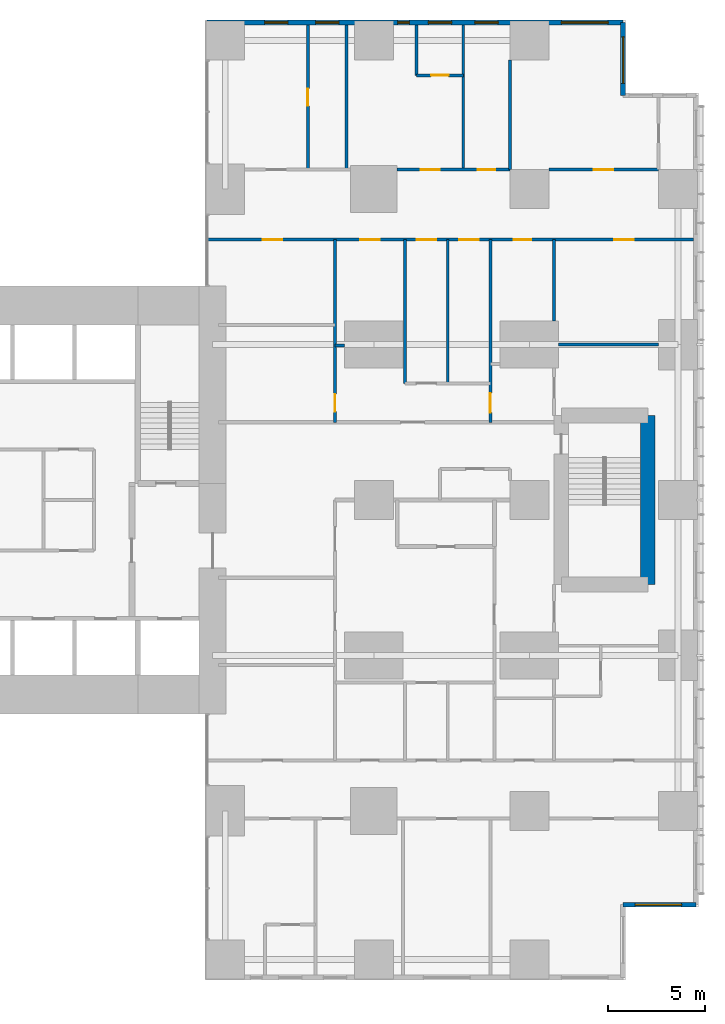
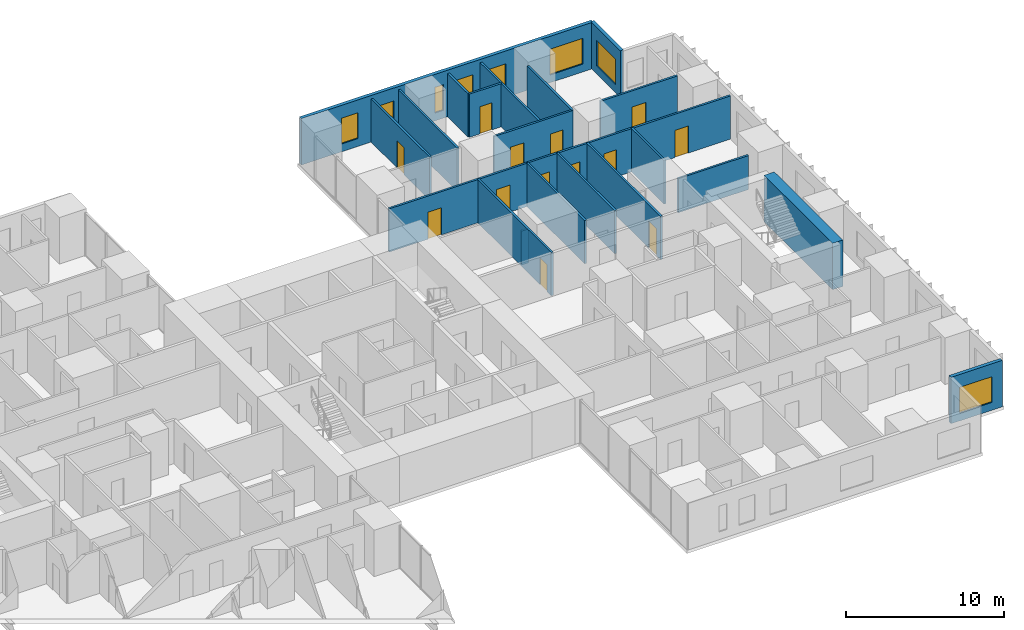
# One storey, part 18 of 20: 20 walls, 13 doors, 8 windows, 21 openings.
"""IFC4 building model written with IfcOpenShell, lengths in metres."""

import ifcopenshell
import ifcopenshell.guid

model = None  # the IFC model being written
_history = None  # IfcOwnerHistory: only IFC2X3 demands one
_inside = {}  # id of a spatial element -> (the spatial element, [elements in it])
_under = {}  # id of a project, library or spatial element -> (it, [spatial elements below it])
_declared = {}  # id of a project -> (the project, [libraries it declares])
_typed = {}  # id of a type object -> (the type object, [elements of that type])
_made_of = {}  # id of a material, layer set ... -> (it, [elements and type objects made of it])


def new_model(schema):
    """Start an empty IFC model of exactly this schema.

    Asked for "IFC4X3", IfcOpenShell would pick the latest addendum, in which some entities
    have other attributes; the version numbers below select the first issue.
    IFC2X3 requires an IfcOwnerHistory on every rooted entity: one is made here for all.
    """
    global model, _history
    if schema == "IFC4X3":
        model = ifcopenshell.file(schema_version=(4, 3, 0, 0))
    else:
        model = ifcopenshell.file(schema=schema)
    _inside.clear()
    _under.clear()
    _declared.clear()
    _typed.clear()
    _made_of.clear()
    _history = None
    if model.schema == "IFC2X3":
        org = make("IfcOrganization", Name="unknown")
        user = make(
            "IfcPersonAndOrganization",
            ThePerson=make("IfcPerson", FamilyName="unknown"),
            TheOrganization=org,
        )
        app = make(
            "IfcApplication",
            ApplicationDeveloper=org,
            Version="unknown",
            ApplicationFullName="unknown",
            ApplicationIdentifier="unknown",
        )
        _history = make(
            "IfcOwnerHistory",
            OwningUser=user,
            OwningApplication=app,
            ChangeAction="ADDED",
            CreationDate=0,
        )
    return model


def make(cls, **values):
    """One entity of the class cls with the attributes given. An attribute that is None is left unset."""
    return model.create_entity(
        cls, **{name: value for name, value in values.items() if value is not None}
    )


def rooted(cls, **values):
    """An entity with a GlobalId (a new one), such as an element, a storey or a relation."""
    return make(cls, GlobalId=ifcopenshell.guid.new(), OwnerHistory=_history, **values)


def si_unit(unit_type, name, prefix=None):
    """IfcSIUnit, for example si_unit("LENGTHUNIT", "METRE", prefix="MILLI")."""
    return make("IfcSIUnit", UnitType=unit_type, Prefix=prefix, Name=name)


def assignment(units):
    """IfcUnitAssignment: the units of a project."""
    return None if units is None else make("IfcUnitAssignment", Units=units)


def point(xyz):
    """IfcCartesianPoint."""
    return None if xyz is None else make("IfcCartesianPoint", Coordinates=xyz)


def direction(xyz):
    """IfcDirection."""
    return None if xyz is None else make("IfcDirection", DirectionRatios=xyz)


def frame(location, z_axis=None, x_axis=None):
    """IfcAxis2Placement3D, a coordinate frame: its origin and axes. An axis left out is left unset."""
    return make(
        "IfcAxis2Placement3D",
        Location=point(location),
        Axis=direction(z_axis),
        RefDirection=direction(x_axis),
    )


def frame_2d(location, x_axis=None):
    """IfcAxis2Placement2D, a coordinate frame in the plane: its origin and x axis."""
    return make(
        "IfcAxis2Placement2D", Location=point(location), RefDirection=direction(x_axis)
    )


def origin():
    """The frame at (0, 0, 0) with its axes left unset."""
    return frame((0.0, 0.0, 0.0))


def place(relative_to, where):
    """IfcLocalPlacement: puts the frame where relative to a parent placement (None: the world)."""
    return make(
        "IfcLocalPlacement", PlacementRelTo=relative_to, RelativePlacement=where
    )


def context(
    kind, dimensions, precision=None, world=None, true_north=None, identifier=None
):
    """IfcGeometricRepresentationContext, for example the 3D "Model" context."""
    return make(
        "IfcGeometricRepresentationContext",
        ContextIdentifier=identifier,
        ContextType=kind,
        CoordinateSpaceDimension=dimensions,
        Precision=precision,
        WorldCoordinateSystem=world,
        TrueNorth=true_north,
    )


def subcontext(parent, identifier, kind, view, scale=None):
    """IfcGeometricRepresentationSubContext, for example "Body" below "Model"."""
    return make(
        "IfcGeometricRepresentationSubContext",
        ContextIdentifier=identifier,
        ContextType=kind,
        ParentContext=parent,
        TargetScale=scale,
        TargetView=view,
    )


def project(units=None, contexts=None):
    """IfcProject with its units and contexts."""
    return rooted(
        "IfcProject",
        Name="project",
        RepresentationContexts=contexts,
        UnitsInContext=assignment(units),
    )


def spatial(cls, under=None, at=None, **own):
    """A site, building, storey or space (cls), placed at a placement, below another one or the project."""
    s = rooted(cls, ObjectPlacement=at, **own)
    if under is not None:
        _under.setdefault(under.id(), (under, []))[1].append(s)
    return s


def profile(cls, at=None, kind="AREA", **sizes):
    """A parametric profile (cls). Its sizes go by their IFC names, for example OverallWidth=200.0."""
    return make(cls, ProfileType=kind, Position=at, **sizes)


def rectangle(**sizes):
    """IfcRectangleProfileDef."""
    return profile("IfcRectangleProfileDef", **sizes)


def extrude(swept, where, along, depth):
    """IfcExtrudedAreaSolid: the profile swept, set in the frame where, extruded along a direction by depth."""
    return make(
        "IfcExtrudedAreaSolid",
        SweptArea=swept,
        Position=where,
        ExtrudedDirection=direction(along),
        Depth=depth,
    )


def shape(context_of_items, identifier, shape_type, items):
    """IfcShapeRepresentation: the items that make up one representation, for example the "Body"."""
    return make(
        "IfcShapeRepresentation",
        ContextOfItems=context_of_items,
        RepresentationIdentifier=identifier,
        RepresentationType=shape_type,
        Items=items,
    )


def material(Name=None, Category=None):
    """IfcMaterial."""
    return make("IfcMaterial", Name=Name, Category=Category)


def layer(
    of_material, thickness, ventilated=None, Name=None, Category=None, Priority=None
):
    """IfcMaterialLayer: one layer of a wall or slab, of a material (None: an air gap)."""
    return make(
        "IfcMaterialLayer",
        Material=of_material,
        LayerThickness=thickness,
        IsVentilated=ventilated,
        Name=Name,
        Category=Category,
        Priority=Priority,
    )


def layer_set(layers, Name=None):
    """IfcMaterialLayerSet."""
    return make("IfcMaterialLayerSet", MaterialLayers=layers, LayerSetName=Name)


def made_of(thing, what):
    """Note that an element or type object is made of a material, layer set ...; save() writes the relation."""
    if what is not None:
        _made_of.setdefault(what.id(), (what, []))[1].append(thing)
    return thing


def type_object(cls, material=None, **own):
    """A type object (cls), such as IfcWallType, which elements share."""
    return made_of(rooted(cls, **own), material)


def element(
    cls,
    number,
    at=None,
    inside=None,
    cuts=None,
    type_object=None,
    material=None,
    context=None,
    identifier="Body",
    shape_type=None,
    held_by="IfcProductDefinitionShape",
    body=None,
    shapes=None,
    **own,
):
    """One element of the class cls, such as IfcWall. Its Tag is "e" and its number.

    at: its placement. inside: the storey or other place that contains it. cuts: it is an
    opening in that element (IfcRelVoidsElement). A single representation is given by context,
    identifier, shape_type and body (its items); several are given by shapes. held_by: the class
    of the entity that holds the representations. save() writes the other relations.
    """
    e = rooted(cls, Tag="e%d" % number, ObjectPlacement=at, **own)
    if body is not None:
        shapes = [shape(context, identifier, shape_type, body)]
    if shapes is not None:
        e.Representation = make(held_by, Representations=shapes)
    if inside is not None:
        _inside.setdefault(inside.id(), (inside, []))[1].append(e)
    if cuts is not None:
        rooted(
            "IfcRelVoidsElement", RelatingBuildingElement=cuts, RelatedOpeningElement=e
        )
    if type_object is not None:
        _typed.setdefault(type_object.id(), (type_object, []))[1].append(e)
    return made_of(e, material)


def fill(opening, filler):
    """IfcRelFillsElement: the door or window that sits in an opening."""
    return rooted(
        "IfcRelFillsElement",
        RelatingOpeningElement=opening,
        RelatedBuildingElement=filler,
    )


def aggregate(whole, parts):
    """IfcRelAggregates: a whole, such as a stair, and the parts it consists of."""
    return rooted("IfcRelAggregates", RelatingObject=whole, RelatedObjects=parts)


def save(model, path):
    """Write the relations noted so far, then the file.

    IfcRelAggregates (storeys below a building ...), IfcRelContainedInSpatialStructure (elements
    in a storey), IfcRelDefinesByType, IfcRelAssociatesMaterial and IfcRelDeclares: one each for
    every whole, place, type object, material and project.
    """
    for whole, parts in _under.values():
        aggregate(whole, parts)
    for where, things in _inside.values():
        rooted(
            "IfcRelContainedInSpatialStructure",
            RelatedElements=things,
            RelatingStructure=where,
        )
    for kind, things in _typed.values():
        rooted("IfcRelDefinesByType", RelatedObjects=things, RelatingType=kind)
    for what, things in _made_of.values():
        rooted("IfcRelAssociatesMaterial", RelatedObjects=things, RelatingMaterial=what)
    for by, libraries in _declared.values():
        rooted("IfcRelDeclares", RelatingContext=by, RelatedDefinitions=libraries)
    model.write(path)


model = new_model("IFC4")

# Units and contexts
model_context = context("Model", 3, precision=1e-05, world=origin(), true_north=direction((0.0, 1.0)))
body_context = subcontext(model_context, "Body", "Model", "MODEL_VIEW")
ifc_project = project(units=[si_unit("LENGTHUNIT", "METRE"), si_unit("AREAUNIT", "SQUARE_METRE"), si_unit("VOLUMEUNIT", "CUBIC_METRE"), si_unit("PLANEANGLEUNIT", "RADIAN"), si_unit("MASSUNIT", "GRAM", prefix="KILO")], contexts=[model_context])

# Site, building, storey
site_placement = place(None, origin())
site = spatial("IfcSite", under=ifc_project, at=site_placement, CompositionType="ELEMENT")
building_placement = place(site_placement, origin())
building = spatial("IfcBuilding", under=site, at=building_placement, Name="Cleftline Residences", CompositionType="ELEMENT")
storey_placement = place(building_placement, frame((0.0, 0.0, 44.0)))
storey = spatial("IfcBuildingStorey", under=building, at=storey_placement, Name="L10", CompositionType="ELEMENT", Elevation=44.0)

# Wall, opening, window
ifc_material_1 = material(Name="Rendered reinforced concrete blockwork", Category="masonry")
ifc_layer_1 = layer(ifc_material_1, 0.25)
ifc_layer_set_1 = layer_set([ifc_layer_1], Name="EXTERNAL WALL 250")
wall_type_1 = type_object("IfcWallType", Name="EXTERNAL WALL 250", PredefinedType="SOLIDWALL", material=ifc_layer_set_1)
wall_1_placement = place(storey_placement, frame((62.824951171875, 3.175048828125, 0.0), z_axis=(0.0, 0.0, 1.0), x_axis=(1.0, 0.0, 0.0)))
wall_1 = element("IfcWall", 1, at=wall_1_placement, inside=storey, type_object=wall_type_1, Name="External wall", PredefinedType="SOLIDWALL", context=body_context, shape_type="SweptSolid", body=[
    extrude(rectangle(XDim=3.75, YDim=0.25, at=frame_2d((1.875, 0.0))), origin(), (0.0, 0.0, 1.0), 3.60009765625),
])
opening_1_placement = place(wall_1_placement, frame((0.612548828125, 0.0, 0.60009765625)))
opening_1 = element("IfcOpeningElement", 2, at=opening_1_placement, cuts=wall_1, Name="Opening W6", PredefinedType="OPENING", context=body_context, shape_type="SweptSolid", body=[
    extrude(rectangle(XDim=2.39990234375, YDim=2.0, at=frame_2d((1.199951171875, 1.0))), frame((0.0, 0.135009765625, 0.0), z_axis=(0.0, -1.0, 0.0), x_axis=(1.0, 0.0, 0.0)), (0.0, 0.0, 1.0), 0.27001953125),
])
ifc_material_2 = material(Name="Aluminium frame, clear double glazing", Category="aluminium")
window_type_1 = type_object("IfcWindowType", Name="WINDOW 2400X2000", PartitioningType="DOUBLE_PANEL_VERTICAL", PredefinedType="WINDOW", material=ifc_material_2)
window_1_placement = place(opening_1_placement, origin())
window_1 = element("IfcWindow", 3, at=window_1_placement, inside=storey, type_object=window_type_1, Name="Window", OverallHeight=2.0, OverallWidth=2.39990234375, PartitioningType="SINGLE_PANEL", PredefinedType="WINDOW", context=body_context, shape_type="SweptSolid", body=[
    extrude(rectangle(XDim=2.39990234375, YDim=2.0, at=frame_2d((1.199951171875, 1.0))), frame((0.0, 0.030029296875, 0.0), z_axis=(0.0, -1.0, 0.0), x_axis=(1.0, 0.0, 0.0)), (0.0, 0.0, 1.0), 0.06005859375),
])
fill(opening_1, window_1)

wall_2_placement = place(storey_placement, frame((62.824951171875, 44.824951171875, 0.0), z_axis=(0.0, 0.0, 1.0), x_axis=(0.0, 1.0, 0.0)))
wall_2 = element("IfcWall", 4, at=wall_2_placement, inside=storey, type_object=wall_type_1, Name="External wall", PredefinedType="SOLIDWALL", context=body_context, shape_type="SweptSolid", body=[
    extrude(rectangle(XDim=3.75, YDim=0.25, at=frame_2d((1.875, 0.0))), origin(), (0.0, 0.0, 1.0), 3.60009765625),
])
opening_2_placement = place(wall_2_placement, frame((0.612548828125, 0.0, 0.60009765625)))
opening_2 = element("IfcOpeningElement", 5, at=opening_2_placement, cuts=wall_2, Name="Opening W6", PredefinedType="OPENING", context=body_context, shape_type="SweptSolid", body=[
    extrude(rectangle(XDim=2.39990234375, YDim=2.0, at=frame_2d((1.199951171875, 1.0))), frame((0.0, 0.135009765625, 0.0), z_axis=(0.0, -1.0, 0.0), x_axis=(1.0, 0.0, 0.0)), (0.0, 0.0, 1.0), 0.27001953125),
])
window_2_placement = place(opening_2_placement, origin())
window_2 = element("IfcWindow", 6, at=window_2_placement, inside=storey, type_object=window_type_1, Name="Window", OverallHeight=2.0, OverallWidth=2.39990234375, PartitioningType="SINGLE_PANEL", PredefinedType="WINDOW", context=body_context, shape_type="SweptSolid", body=[
    extrude(rectangle(XDim=2.39990234375, YDim=2.0, at=frame_2d((1.199951171875, 1.0))), frame((0.0, 0.030029296875, 0.0), z_axis=(0.0, -1.0, 0.0), x_axis=(1.0, 0.0, 0.0)), (0.0, 0.0, 1.0), 0.06005859375),
])
fill(opening_2, window_2)

# Wall, openings, windows
wall_3_placement = place(storey_placement, frame((62.824951171875, 48.574951171875, 0.0), z_axis=(0.0, 0.0, 1.0), x_axis=(-1.0, 0.0, 0.0)))
wall_3 = element("IfcWall", 7, at=wall_3_placement, inside=storey, type_object=wall_type_1, Name="External wall", PredefinedType="SOLIDWALL", context=body_context, shape_type="SweptSolid", body=[
    extrude(rectangle(XDim=21.39990234375, YDim=0.25, at=frame_2d((10.699951171875, 0.0))), origin(), (0.0, 0.0, 1.0), 3.60009765625),
])
opening_3_placement = place(wall_3_placement, frame((0.77490234375, 0.0, 0.60009765625)))
opening_3 = element("IfcOpeningElement", 8, at=opening_3_placement, cuts=wall_3, Name="Opening W6", PredefinedType="OPENING", context=body_context, shape_type="SweptSolid", body=[
    extrude(rectangle(XDim=2.39990234375, YDim=2.0, at=frame_2d((1.199951171875, 1.0))), frame((0.0, 0.135009765625, 0.0), z_axis=(0.0, -1.0, 0.0), x_axis=(1.0, 0.0, 0.0)), (0.0, 0.0, 1.0), 0.27001953125),
])
opening_4_placement = place(wall_3_placement, frame((6.425048828125, 0.0, 0.60009765625)))
opening_4 = element("IfcOpeningElement", 9, at=opening_4_placement, cuts=wall_3, Name="Opening W8", PredefinedType="OPENING", context=body_context, shape_type="SweptSolid", body=[
    extrude(rectangle(XDim=1.199951171875, YDim=2.0, at=frame_2d((0.60009765625, 1.0))), frame((0.0, 0.135009765625, 0.0), z_axis=(0.0, -1.0, 0.0), x_axis=(1.0, 0.0, 0.0)), (0.0, 0.0, 1.0), 0.27001953125),
])
opening_5_placement = place(wall_3_placement, frame((8.824951171875, 0.0, 0.60009765625)))
opening_5 = element("IfcOpeningElement", 10, at=opening_5_placement, cuts=wall_3, Name="Opening W8", PredefinedType="OPENING", context=body_context, shape_type="SweptSolid", body=[
    extrude(rectangle(XDim=1.199951171875, YDim=2.0, at=frame_2d((0.60009765625, 1.0))), frame((0.0, 0.135009765625, 0.0), z_axis=(0.0, -1.0, 0.0), x_axis=(1.0, 0.0, 0.0)), (0.0, 0.0, 1.0), 0.27001953125),
])
opening_6_placement = place(wall_3_placement, frame((11.0, 0.0, 0.60009765625)))
opening_6 = element("IfcOpeningElement", 11, at=opening_6_placement, cuts=wall_3, Name="Opening W7", PredefinedType="OPENING", context=body_context, shape_type="SweptSolid", body=[
    extrude(rectangle(XDim=0.60009765625, YDim=2.0, at=frame_2d((0.300048828125, 1.0))), frame((0.0, 0.135009765625, 0.0), z_axis=(0.0, -1.0, 0.0), x_axis=(1.0, 0.0, 0.0)), (0.0, 0.0, 1.0), 0.27001953125),
])
opening_7_placement = place(wall_3_placement, frame((14.625, 0.0, 0.60009765625)))
opening_7 = element("IfcOpeningElement", 12, at=opening_7_placement, cuts=wall_3, Name="Opening W8", PredefinedType="OPENING", context=body_context, shape_type="SweptSolid", body=[
    extrude(rectangle(XDim=1.199951171875, YDim=2.0, at=frame_2d((0.60009765625, 1.0))), frame((0.0, 0.135009765625, 0.0), z_axis=(0.0, -1.0, 0.0), x_axis=(1.0, 0.0, 0.0)), (0.0, 0.0, 1.0), 0.27001953125),
])
opening_8_placement = place(wall_3_placement, frame((17.25, 0.0, 0.60009765625)))
opening_8 = element("IfcOpeningElement", 13, at=opening_8_placement, cuts=wall_3, Name="Opening W8", PredefinedType="OPENING", context=body_context, shape_type="SweptSolid", body=[
    extrude(rectangle(XDim=1.199951171875, YDim=2.0, at=frame_2d((0.60009765625, 1.0))), frame((0.0, 0.135009765625, 0.0), z_axis=(0.0, -1.0, 0.0), x_axis=(1.0, 0.0, 0.0)), (0.0, 0.0, 1.0), 0.27001953125),
])
ifc_material_3 = material(Name="Aluminium frame, clear double glazing", Category="aluminium")
window_type_2 = type_object("IfcWindowType", Name="WINDOW 1200X2000", PartitioningType="DOUBLE_PANEL_VERTICAL", PredefinedType="WINDOW", material=ifc_material_3)
window_3_placement = place(opening_4_placement, origin())
window_3 = element("IfcWindow", 14, at=window_3_placement, inside=storey, type_object=window_type_2, Name="Window", OverallHeight=2.0, OverallWidth=1.199951171875, PartitioningType="SINGLE_PANEL", PredefinedType="WINDOW", context=body_context, shape_type="SweptSolid", body=[
    extrude(rectangle(XDim=1.199951171875, YDim=2.0, at=frame_2d((0.60009765625, 1.0))), frame((0.0, 0.030029296875, 0.0), z_axis=(0.0, -1.0, 0.0), x_axis=(1.0, 0.0, 0.0)), (0.0, 0.0, 1.0), 0.06005859375),
])
fill(opening_4, window_3)
window_4_placement = place(opening_5_placement, origin())
window_4 = element("IfcWindow", 15, at=window_4_placement, inside=storey, type_object=window_type_2, Name="Window", OverallHeight=2.0, OverallWidth=1.199951171875, PartitioningType="SINGLE_PANEL", PredefinedType="WINDOW", context=body_context, shape_type="SweptSolid", body=[
    extrude(rectangle(XDim=1.199951171875, YDim=2.0, at=frame_2d((0.60009765625, 1.0))), frame((0.0, 0.030029296875, 0.0), z_axis=(0.0, -1.0, 0.0), x_axis=(1.0, 0.0, 0.0)), (0.0, 0.0, 1.0), 0.06005859375),
])
fill(opening_5, window_4)
window_5_placement = place(opening_7_placement, origin())
window_5 = element("IfcWindow", 16, at=window_5_placement, inside=storey, type_object=window_type_2, Name="Window", OverallHeight=2.0, OverallWidth=1.199951171875, PartitioningType="SINGLE_PANEL", PredefinedType="WINDOW", context=body_context, shape_type="SweptSolid", body=[
    extrude(rectangle(XDim=1.199951171875, YDim=2.0, at=frame_2d((0.60009765625, 1.0))), frame((0.0, 0.030029296875, 0.0), z_axis=(0.0, -1.0, 0.0), x_axis=(1.0, 0.0, 0.0)), (0.0, 0.0, 1.0), 0.06005859375),
])
fill(opening_7, window_5)
window_6_placement = place(opening_8_placement, origin())
window_6 = element("IfcWindow", 17, at=window_6_placement, inside=storey, type_object=window_type_2, Name="Window", OverallHeight=2.0, OverallWidth=1.199951171875, PartitioningType="SINGLE_PANEL", PredefinedType="WINDOW", context=body_context, shape_type="SweptSolid", body=[
    extrude(rectangle(XDim=1.199951171875, YDim=2.0, at=frame_2d((0.60009765625, 1.0))), frame((0.0, 0.030029296875, 0.0), z_axis=(0.0, -1.0, 0.0), x_axis=(1.0, 0.0, 0.0)), (0.0, 0.0, 1.0), 0.06005859375),
])
fill(opening_8, window_6)
window_7_placement = place(opening_3_placement, origin())
window_7 = element("IfcWindow", 18, at=window_7_placement, inside=storey, type_object=window_type_1, Name="Window", OverallHeight=2.0, OverallWidth=2.39990234375, PartitioningType="SINGLE_PANEL", PredefinedType="WINDOW", context=body_context, shape_type="SweptSolid", body=[
    extrude(rectangle(XDim=2.39990234375, YDim=2.0, at=frame_2d((1.199951171875, 1.0))), frame((0.0, 0.030029296875, 0.0), z_axis=(0.0, -1.0, 0.0), x_axis=(1.0, 0.0, 0.0)), (0.0, 0.0, 1.0), 0.06005859375),
])
fill(opening_3, window_7)
ifc_material_4 = material(Name="Aluminium frame, clear double glazing", Category="aluminium")
window_type_3 = type_object("IfcWindowType", Name="WINDOW 600X2000", PartitioningType="DOUBLE_PANEL_VERTICAL", PredefinedType="WINDOW", material=ifc_material_4)
window_8_placement = place(opening_6_placement, origin())
window_8 = element("IfcWindow", 19, at=window_8_placement, inside=storey, type_object=window_type_3, Name="Window", OverallHeight=2.0, OverallWidth=0.60009765625, PartitioningType="SINGLE_PANEL", PredefinedType="WINDOW", context=body_context, shape_type="SweptSolid", body=[
    extrude(rectangle(XDim=0.60009765625, YDim=2.0, at=frame_2d((0.300048828125, 1.0))), frame((0.0, 0.030029296875, 0.0), z_axis=(0.0, -1.0, 0.0), x_axis=(1.0, 0.0, 0.0)), (0.0, 0.0, 1.0), 0.06005859375),
])
fill(opening_6, window_8)

# Walls
ifc_material_5 = material(Name="Gypsum board on steel studs", Category="steel")
ifc_layer_2 = layer(ifc_material_5, 0.14990234375)
ifc_layer_set_2 = layer_set([ifc_layer_2], Name="PARTITION 150")
wall_type_2 = type_object("IfcWallType", Name="PARTITION 150", PredefinedType="PARTITIONING", material=ifc_layer_set_2)
wall_4_placement = place(storey_placement, frame((48.0, 31.949951171875, 0.0), z_axis=(0.0, 0.0, 1.0), x_axis=(1.0, 0.0, 0.0)))
element("IfcWall", 20, at=wall_4_placement, inside=storey, type_object=wall_type_2, Name="Partition", PredefinedType="PARTITIONING", context=body_context, shape_type="SweptSolid", body=[
    extrude(rectangle(XDim=0.5, YDim=0.14990234375, at=frame_2d((0.25, 0.0))), origin(), (0.0, 0.0, 1.0), 2.634033203125),
])
wall_5_placement = place(storey_placement, frame((59.5, 32.0, 0.0), z_axis=(0.0, 0.0, 1.0), x_axis=(1.0, 0.0, 0.0)))
element("IfcWall", 21, at=wall_5_placement, inside=storey, type_object=wall_type_2, Name="Partition", PredefinedType="PARTITIONING", context=body_context, shape_type="SweptSolid", body=[
    extrude(rectangle(XDim=5.14990234375, YDim=0.14990234375, at=frame_2d((2.574951171875, 0.0))), origin(), (0.0, 0.0, 1.0), 2.634033203125),
])

# Wall, openings, doors
wall_6_placement = place(storey_placement, frame((41.43896484375, 37.39990234375, 0.0), z_axis=(0.0, 0.0, 1.0), x_axis=(1.0, 0.0, 0.0)))
wall_6 = element("IfcWall", 22, at=wall_6_placement, inside=storey, type_object=wall_type_2, Name="Partition", PredefinedType="PARTITIONING", context=body_context, shape_type="SweptSolid", body=[
    extrude(rectangle(XDim=25.010986328125, YDim=0.14990234375, at=frame_2d((12.50537109375, 0.0))), origin(), (0.0, 0.0, 1.0), 3.35009765625),
])
opening_9_placement = place(wall_6_placement, frame((10.760986328125, 0.0, 0.0)))
opening_9 = element("IfcOpeningElement", 23, at=opening_9_placement, cuts=wall_6, Name="Opening D2", PredefinedType="OPENING", context=body_context, shape_type="SweptSolid", body=[
    extrude(rectangle(XDim=1.0, YDim=2.10009765625, at=frame_2d((0.5, 1.050048828125))), frame((0.0, 0.0849609375, 0.0), z_axis=(0.0, -1.0, 0.0), x_axis=(1.0, 0.0, 0.0)), (0.0, 0.0, 1.0), 0.169921875),
])
opening_10_placement = place(wall_6_placement, frame((20.923583984375, 0.0, 0.0)))
opening_10 = element("IfcOpeningElement", 24, at=opening_10_placement, cuts=wall_6, Name="Opening D2", PredefinedType="OPENING", context=body_context, shape_type="SweptSolid", body=[
    extrude(rectangle(XDim=1.0, YDim=2.10009765625, at=frame_2d((0.5, 1.050048828125))), frame((0.0, 0.0849609375, 0.0), z_axis=(0.0, -1.0, 0.0), x_axis=(1.0, 0.0, 0.0)), (0.0, 0.0, 1.0), 0.169921875),
])
opening_11_placement = place(wall_6_placement, frame((15.74853515625, 0.0, 0.0)))
opening_11 = element("IfcOpeningElement", 25, at=opening_11_placement, cuts=wall_6, Name="Opening D1", PredefinedType="OPENING", context=body_context, shape_type="SweptSolid", body=[
    extrude(rectangle(XDim=0.89990234375, YDim=2.10009765625, at=frame_2d((0.449951171875, 1.050048828125))), frame((0.0, 0.0849609375, 0.0), z_axis=(0.0, -1.0, 0.0), x_axis=(1.0, 0.0, 0.0)), (0.0, 0.0, 1.0), 0.169921875),
])
opening_12_placement = place(wall_6_placement, frame((12.9609375, 0.0, 0.0)))
opening_12 = element("IfcOpeningElement", 26, at=opening_12_placement, cuts=wall_6, Name="Opening D2", PredefinedType="OPENING", context=body_context, shape_type="SweptSolid", body=[
    extrude(rectangle(XDim=1.0, YDim=2.10009765625, at=frame_2d((0.5, 1.050048828125))), frame((0.0, 0.0849609375, 0.0), z_axis=(0.0, -1.0, 0.0), x_axis=(1.0, 0.0, 0.0)), (0.0, 0.0, 1.0), 0.169921875),
])
opening_13_placement = place(wall_6_placement, frame((7.861083984375, 0.0, 0.0)))
opening_13 = element("IfcOpeningElement", 27, at=opening_13_placement, cuts=wall_6, Name="Opening D2", PredefinedType="OPENING", context=body_context, shape_type="SweptSolid", body=[
    extrude(rectangle(XDim=1.0, YDim=2.10009765625, at=frame_2d((0.5, 1.050048828125))), frame((0.0, 0.0849609375, 0.0), z_axis=(0.0, -1.0, 0.0), x_axis=(1.0, 0.0, 0.0)), (0.0, 0.0, 1.0), 0.169921875),
])
opening_14_placement = place(wall_6_placement, frame((2.8359375, 0.0, 0.0)))
opening_14 = element("IfcOpeningElement", 28, at=opening_14_placement, cuts=wall_6, Name="Opening D2", PredefinedType="OPENING", context=body_context, shape_type="SweptSolid", body=[
    extrude(rectangle(XDim=1.0, YDim=2.10009765625, at=frame_2d((0.5, 1.050048828125))), frame((0.0, 0.0849609375, 0.0), z_axis=(0.0, -1.0, 0.0), x_axis=(1.0, 0.0, 0.0)), (0.0, 0.0, 1.0), 0.169921875),
])
ifc_material_6 = material(Name="Timber veneer on solid core", Category="wood")
door_type_1 = type_object("IfcDoorType", Name="DOOR 1000X2100", OperationType="SINGLE_SWING_LEFT", PredefinedType="DOOR", material=ifc_material_6)
door_1_placement = place(opening_9_placement, origin())
door_1 = element("IfcDoor", 29, at=door_1_placement, inside=storey, type_object=door_type_1, Name="Door to residence hall", OperationType="SINGLE_SWING_RIGHT", OverallHeight=2.10009765625, OverallWidth=1.0, PredefinedType="DOOR", context=body_context, shape_type="SweptSolid", body=[
    extrude(rectangle(XDim=1.0, YDim=2.10009765625, at=frame_2d((0.5, 1.050048828125))), frame((0.0, 0.02490234375, 0.0), z_axis=(0.0, -1.0, 0.0), x_axis=(1.0, 0.0, 0.0)), (0.0, 0.0, 1.0), 0.050048828125),
])
fill(opening_9, door_1)
door_2_placement = place(opening_10_placement, origin())
door_2 = element("IfcDoor", 30, at=door_2_placement, inside=storey, type_object=door_type_1, Name="Door to sea-view living room", OperationType="SINGLE_SWING_LEFT", OverallHeight=2.10009765625, OverallWidth=1.0, PredefinedType="DOOR", context=body_context, shape_type="SweptSolid", body=[
    extrude(rectangle(XDim=1.0, YDim=2.10009765625, at=frame_2d((0.5, 1.050048828125))), frame((0.0, 0.02490234375, 0.0), z_axis=(0.0, -1.0, 0.0), x_axis=(1.0, 0.0, 0.0)), (0.0, 0.0, 1.0), 0.050048828125),
])
fill(opening_10, door_2)
door_3_placement = place(opening_12_placement, origin())
door_3 = element("IfcDoor", 31, at=door_3_placement, inside=storey, type_object=door_type_1, Name="Door to show kitchen", OperationType="SINGLE_SWING_LEFT", OverallHeight=2.10009765625, OverallWidth=1.0, PredefinedType="DOOR", context=body_context, shape_type="SweptSolid", body=[
    extrude(rectangle(XDim=1.0, YDim=2.10009765625, at=frame_2d((0.5, 1.050048828125))), frame((0.0, 0.02490234375, 0.0), z_axis=(0.0, -1.0, 0.0), x_axis=(1.0, 0.0, 0.0)), (0.0, 0.0, 1.0), 0.050048828125),
])
fill(opening_12, door_3)
door_4_placement = place(opening_13_placement, origin())
door_4 = element("IfcDoor", 32, at=door_4_placement, inside=storey, type_object=door_type_1, Name="Door to wet kitchen", OperationType="SINGLE_SWING_RIGHT", OverallHeight=2.10009765625, OverallWidth=1.0, PredefinedType="DOOR", context=body_context, shape_type="SweptSolid", body=[
    extrude(rectangle(XDim=1.0, YDim=2.10009765625, at=frame_2d((0.5, 1.050048828125))), frame((0.0, 0.02490234375, 0.0), z_axis=(0.0, -1.0, 0.0), x_axis=(1.0, 0.0, 0.0)), (0.0, 0.0, 1.0), 0.050048828125),
])
fill(opening_13, door_4)
door_5_placement = place(opening_14_placement, origin())
door_5 = element("IfcDoor", 33, at=door_5_placement, inside=storey, type_object=door_type_1, Name="Door to study", OperationType="SINGLE_SWING_RIGHT", OverallHeight=2.10009765625, OverallWidth=1.0, PredefinedType="DOOR", context=body_context, shape_type="SweptSolid", body=[
    extrude(rectangle(XDim=1.0, YDim=2.10009765625, at=frame_2d((0.5, 1.050048828125))), frame((0.0, 0.02490234375, 0.0), z_axis=(0.0, -1.0, 0.0), x_axis=(1.0, 0.0, 0.0)), (0.0, 0.0, 1.0), 0.050048828125),
])
fill(opening_14, door_5)
ifc_material_7 = material(Name="Timber veneer on solid core", Category="wood")
door_type_2 = type_object("IfcDoorType", Name="DOOR 900X2100", OperationType="SINGLE_SWING_LEFT", PredefinedType="DOOR", material=ifc_material_7)
door_6_placement = place(opening_11_placement, origin())
door_6 = element("IfcDoor", 34, at=door_6_placement, inside=storey, type_object=door_type_2, Name="Door to master bathroom", OperationType="SINGLE_SWING_LEFT", OverallHeight=2.10009765625, OverallWidth=0.89990234375, PredefinedType="DOOR", context=body_context, shape_type="SweptSolid", body=[
    extrude(rectangle(XDim=0.89990234375, YDim=2.10009765625, at=frame_2d((0.449951171875, 1.050048828125))), frame((0.0, 0.02490234375, 0.0), z_axis=(0.0, -1.0, 0.0), x_axis=(1.0, 0.0, 0.0)), (0.0, 0.0, 1.0), 0.050048828125),
])
fill(opening_11, door_6)

wall_7_placement = place(storey_placement, frame((51.199951171875, 41.0, 0.0), z_axis=(0.0, 0.0, 1.0), x_axis=(1.0, 0.0, 0.0)))
wall_7 = element("IfcWall", 35, at=wall_7_placement, inside=storey, type_object=wall_type_2, Name="Partition", PredefinedType="PARTITIONING", context=body_context, shape_type="SweptSolid", body=[
    extrude(rectangle(XDim=5.800048828125, YDim=0.14990234375, at=frame_2d((2.89990234375, 0.0))), origin(), (0.0, 0.0, 1.0), 3.35009765625),
])
opening_15_placement = place(wall_7_placement, frame((4.14990234375, 0.0, 0.0)))
opening_15 = element("IfcOpeningElement", 36, at=opening_15_placement, cuts=wall_7, Name="Opening D1", PredefinedType="OPENING", context=body_context, shape_type="SweptSolid", body=[
    extrude(rectangle(XDim=0.89990234375, YDim=2.10009765625, at=frame_2d((0.449951171875, 1.050048828125))), frame((0.0, 0.0849609375, 0.0), z_axis=(0.0, -1.0, 0.0), x_axis=(1.0, 0.0, 0.0)), (0.0, 0.0, 1.0), 0.169921875),
])
opening_16_placement = place(wall_7_placement, frame((1.199951171875, 0.0, 0.0)))
opening_16 = element("IfcOpeningElement", 37, at=opening_16_placement, cuts=wall_7, Name="Opening D2", PredefinedType="OPENING", context=body_context, shape_type="SweptSolid", body=[
    extrude(rectangle(XDim=1.0, YDim=2.10009765625, at=frame_2d((0.5, 1.050048828125))), frame((0.0, 0.0849609375, 0.0), z_axis=(0.0, -1.0, 0.0), x_axis=(1.0, 0.0, 0.0)), (0.0, 0.0, 1.0), 0.169921875),
])
door_7_placement = place(opening_16_placement, origin())
door_7 = element("IfcDoor", 38, at=door_7_placement, inside=storey, type_object=door_type_1, Name="Door to bedroom 2", OperationType="SINGLE_SWING_RIGHT", OverallHeight=2.10009765625, OverallWidth=1.0, PredefinedType="DOOR", context=body_context, shape_type="SweptSolid", body=[
    extrude(rectangle(XDim=1.0, YDim=2.10009765625, at=frame_2d((0.5, 1.050048828125))), frame((0.0, 0.02490234375, 0.0), z_axis=(0.0, -1.0, 0.0), x_axis=(1.0, 0.0, 0.0)), (0.0, 0.0, 1.0), 0.050048828125),
])
fill(opening_16, door_7)
door_8_placement = place(opening_15_placement, origin())
door_8 = element("IfcDoor", 39, at=door_8_placement, inside=storey, type_object=door_type_2, Name="Door to master dressing room", OperationType="SINGLE_SWING_LEFT", OverallHeight=2.10009765625, OverallWidth=0.89990234375, PredefinedType="DOOR", context=body_context, shape_type="SweptSolid", body=[
    extrude(rectangle(XDim=0.89990234375, YDim=2.10009765625, at=frame_2d((0.449951171875, 1.050048828125))), frame((0.0, 0.02490234375, 0.0), z_axis=(0.0, -1.0, 0.0), x_axis=(1.0, 0.0, 0.0)), (0.0, 0.0, 1.0), 0.050048828125),
])
fill(opening_15, door_8)

# Wall, opening, door
wall_8_placement = place(storey_placement, frame((59.0, 41.0, 0.0), z_axis=(0.0, 0.0, 1.0), x_axis=(1.0, 0.0, 0.0)))
wall_8 = element("IfcWall", 40, at=wall_8_placement, inside=storey, type_object=wall_type_2, Name="Partition", PredefinedType="PARTITIONING", context=body_context, shape_type="SweptSolid", body=[
    extrude(rectangle(XDim=5.64990234375, YDim=0.14990234375, at=frame_2d((2.824951171875, 0.0))), origin(), (0.0, 0.0, 1.0), 3.35009765625),
])
opening_17_placement = place(wall_8_placement, frame((2.324951171875, 0.0, 0.0)))
opening_17 = element("IfcOpeningElement", 41, at=opening_17_placement, cuts=wall_8, Name="Opening D2", PredefinedType="OPENING", context=body_context, shape_type="SweptSolid", body=[
    extrude(rectangle(XDim=1.0, YDim=2.10009765625, at=frame_2d((0.5, 1.050048828125))), frame((0.0, 0.0849609375, 0.0), z_axis=(0.0, -1.0, 0.0), x_axis=(1.0, 0.0, 0.0)), (0.0, 0.0, 1.0), 0.169921875),
])
door_9_placement = place(opening_17_placement, origin())
door_9 = element("IfcDoor", 42, at=door_9_placement, inside=storey, type_object=door_type_1, Name="Door to master bedroom", OperationType="SINGLE_SWING_LEFT", OverallHeight=2.10009765625, OverallWidth=1.0, PredefinedType="DOOR", context=body_context, shape_type="SweptSolid", body=[
    extrude(rectangle(XDim=1.0, YDim=2.10009765625, at=frame_2d((0.5, 1.050048828125))), frame((0.0, 0.02490234375, 0.0), z_axis=(0.0, -1.0, 0.0), x_axis=(1.0, 0.0, 0.0)), (0.0, 0.0, 1.0), 0.050048828125),
])
fill(opening_17, door_9)

wall_9_placement = place(storey_placement, frame((52.199951171875, 45.85009765625, 0.0), z_axis=(0.0, 0.0, 1.0), x_axis=(1.0, 0.0, 0.0)))
wall_9 = element("IfcWall", 43, at=wall_9_placement, inside=storey, type_object=wall_type_2, Name="Partition", PredefinedType="PARTITIONING", context=body_context, shape_type="SweptSolid", body=[
    extrude(rectangle(XDim=2.400146484375, YDim=0.14990234375, at=frame_2d((1.2001953125, 0.0))), origin(), (0.0, 0.0, 1.0), 3.35009765625),
])
opening_18_placement = place(wall_9_placement, frame((0.75, 0.0, 0.0)))
opening_18 = element("IfcOpeningElement", 44, at=opening_18_placement, cuts=wall_9, Name="Opening D1", PredefinedType="OPENING", context=body_context, shape_type="SweptSolid", body=[
    extrude(rectangle(XDim=0.89990234375, YDim=2.10009765625, at=frame_2d((0.449951171875, 1.050048828125))), frame((0.0, 0.0849609375, 0.0), z_axis=(0.0, -1.0, 0.0), x_axis=(1.0, 0.0, 0.0)), (0.0, 0.0, 1.0), 0.169921875),
])
door_10_placement = place(opening_18_placement, origin())
door_10 = element("IfcDoor", 45, at=door_10_placement, inside=storey, type_object=door_type_2, Name="Door to en-suite bathroom 2", OperationType="SINGLE_SWING_LEFT", OverallHeight=2.10009765625, OverallWidth=0.89990234375, PredefinedType="DOOR", context=body_context, shape_type="SweptSolid", body=[
    extrude(rectangle(XDim=0.89990234375, YDim=2.10009765625, at=frame_2d((0.449951171875, 1.050048828125))), frame((0.0, 0.02490234375, 0.0), z_axis=(0.0, -1.0, 0.0), x_axis=(1.0, 0.0, 0.0)), (0.0, 0.0, 1.0), 0.050048828125),
])
fill(opening_18, door_10)

wall_10_placement = place(storey_placement, frame((46.60009765625, 41.0, 0.0), z_axis=(0.0, 0.0, 1.0), x_axis=(0.0, 1.0, 0.0)))
wall_10 = element("IfcWall", 46, at=wall_10_placement, inside=storey, type_object=wall_type_2, Name="Partition", PredefinedType="PARTITIONING", context=body_context, shape_type="SweptSolid", body=[
    extrude(rectangle(XDim=7.449951171875, YDim=0.14990234375, at=frame_2d((3.72509765625, 0.0))), origin(), (0.0, 0.0, 1.0), 3.35009765625),
])
opening_19_placement = place(wall_10_placement, frame((3.27490234375, 0.0, 0.0)))
opening_19 = element("IfcOpeningElement", 47, at=opening_19_placement, cuts=wall_10, Name="Opening D1", PredefinedType="OPENING", context=body_context, shape_type="SweptSolid", body=[
    extrude(rectangle(XDim=0.89990234375, YDim=2.10009765625, at=frame_2d((0.449951171875, 1.050048828125))), frame((0.0, 0.0849609375, 0.0), z_axis=(0.0, -1.0, 0.0), x_axis=(1.0, 0.0, 0.0)), (0.0, 0.0, 1.0), 0.169921875),
])
door_11_placement = place(opening_19_placement, origin())
door_11 = element("IfcDoor", 48, at=door_11_placement, inside=storey, type_object=door_type_2, Name="Door to en-suite bathroom 3", OperationType="SINGLE_SWING_LEFT", OverallHeight=2.10009765625, OverallWidth=0.89990234375, PredefinedType="DOOR", context=body_context, shape_type="SweptSolid", body=[
    extrude(rectangle(XDim=0.89990234375, YDim=2.10009765625, at=frame_2d((0.449951171875, 1.050048828125))), frame((0.0, 0.02490234375, 0.0), z_axis=(0.0, -1.0, 0.0), x_axis=(1.0, 0.0, 0.0)), (0.0, 0.0, 1.0), 0.050048828125),
])
fill(opening_19, door_11)

wall_11_placement = place(storey_placement, frame((48.0, 28.0, 0.0), z_axis=(0.0, 0.0, 1.0), x_axis=(0.0, 1.0, 0.0)))
wall_11 = element("IfcWall", 49, at=wall_11_placement, inside=storey, type_object=wall_type_2, Name="Partition", PredefinedType="PARTITIONING", context=body_context, shape_type="SweptSolid", body=[
    extrude(rectangle(XDim=9.39990234375, YDim=0.14990234375, at=frame_2d((4.699951171875, 0.0))), origin(), (0.0, 0.0, 1.0), 3.35009765625),
])
opening_20_placement = place(wall_11_placement, frame((0.550048828125, 0.0, 0.0)))
opening_20 = element("IfcOpeningElement", 50, at=opening_20_placement, cuts=wall_11, Name="Opening D1", PredefinedType="OPENING", context=body_context, shape_type="SweptSolid", body=[
    extrude(rectangle(XDim=0.89990234375, YDim=2.10009765625, at=frame_2d((0.449951171875, 1.050048828125))), frame((0.0, 0.0849609375, 0.0), z_axis=(0.0, -1.0, 0.0), x_axis=(1.0, 0.0, 0.0)), (0.0, 0.0, 1.0), 0.169921875),
])
door_12_placement = place(opening_20_placement, origin())
door_12 = element("IfcDoor", 51, at=door_12_placement, inside=storey, type_object=door_type_2, Name="Door to laundry", OperationType="SINGLE_SWING_RIGHT", OverallHeight=2.10009765625, OverallWidth=0.89990234375, PredefinedType="DOOR", context=body_context, shape_type="SweptSolid", body=[
    extrude(rectangle(XDim=0.89990234375, YDim=2.10009765625, at=frame_2d((0.449951171875, 1.050048828125))), frame((0.0, 0.02490234375, 0.0), z_axis=(0.0, -1.0, 0.0), x_axis=(1.0, 0.0, 0.0)), (0.0, 0.0, 1.0), 0.050048828125),
])
fill(opening_20, door_12)

# Walls
wall_12_placement = place(storey_placement, frame((48.60009765625, 41.0, 0.0), z_axis=(0.0, 0.0, 1.0), x_axis=(0.0, 1.0, 0.0)))
element("IfcWall", 52, at=wall_12_placement, inside=storey, type_object=wall_type_2, Name="Partition", PredefinedType="PARTITIONING", context=body_context, shape_type="SweptSolid", body=[
    extrude(rectangle(XDim=7.449951171875, YDim=0.14990234375, at=frame_2d((3.72509765625, 0.0))), origin(), (0.0, 0.0, 1.0), 3.35009765625),
])
wall_13_placement = place(storey_placement, frame((51.60009765625, 30.0, 0.0), z_axis=(0.0, 0.0, 1.0), x_axis=(0.0, 1.0, 0.0)))
element("IfcWall", 53, at=wall_13_placement, inside=storey, type_object=wall_type_2, Name="Partition", PredefinedType="PARTITIONING", context=body_context, shape_type="SweptSolid", body=[
    extrude(rectangle(XDim=7.39990234375, YDim=0.14990234375, at=frame_2d((3.699951171875, 0.0))), origin(), (0.0, 0.0, 1.0), 3.35009765625),
])
wall_14_placement = place(storey_placement, frame((52.199951171875, 45.85009765625, 0.0), z_axis=(0.0, 0.0, 1.0), x_axis=(0.0, 1.0, 0.0)))
element("IfcWall", 54, at=wall_14_placement, inside=storey, type_object=wall_type_2, Name="Partition", PredefinedType="PARTITIONING", context=body_context, shape_type="SweptSolid", body=[
    extrude(rectangle(XDim=2.599853515625, YDim=0.14990234375, at=frame_2d((1.2998046875, 0.0))), origin(), (0.0, 0.0, 1.0), 3.35009765625),
])
wall_15_placement = place(storey_placement, frame((53.800048828125, 30.0, 0.0), z_axis=(0.0, 0.0, 1.0), x_axis=(0.0, 1.0, 0.0)))
element("IfcWall", 55, at=wall_15_placement, inside=storey, type_object=wall_type_2, Name="Partition", PredefinedType="PARTITIONING", context=body_context, shape_type="SweptSolid", body=[
    extrude(rectangle(XDim=7.39990234375, YDim=0.14990234375, at=frame_2d((3.699951171875, 0.0))), origin(), (0.0, 0.0, 1.0), 3.35009765625),
])
wall_16_placement = place(storey_placement, frame((54.60009765625, 41.0, 0.0), z_axis=(0.0, 0.0, 1.0), x_axis=(0.0, 1.0, 0.0)))
element("IfcWall", 56, at=wall_16_placement, inside=storey, type_object=wall_type_2, Name="Partition", PredefinedType="PARTITIONING", context=body_context, shape_type="SweptSolid", body=[
    extrude(rectangle(XDim=7.449951171875, YDim=0.14990234375, at=frame_2d((3.72509765625, 0.0))), origin(), (0.0, 0.0, 1.0), 3.35009765625),
])

# Wall, opening, door
wall_17_placement = place(storey_placement, frame((56.0, 28.0, 0.0), z_axis=(0.0, 0.0, 1.0), x_axis=(0.0, 1.0, 0.0)))
wall_17 = element("IfcWall", 57, at=wall_17_placement, inside=storey, type_object=wall_type_2, Name="Partition", PredefinedType="PARTITIONING", context=body_context, shape_type="SweptSolid", body=[
    extrude(rectangle(XDim=9.39990234375, YDim=0.14990234375, at=frame_2d((4.699951171875, 0.0))), origin(), (0.0, 0.0, 1.0), 3.35009765625),
])
opening_21_placement = place(wall_17_placement, frame((0.5, 0.0, 0.0)))
opening_21 = element("IfcOpeningElement", 58, at=opening_21_placement, cuts=wall_17, Name="Opening D2F30", PredefinedType="OPENING", context=body_context, shape_type="SweptSolid", body=[
    extrude(rectangle(XDim=1.0, YDim=2.10009765625, at=frame_2d((0.5, 1.050048828125))), frame((0.0, 0.0849609375, 0.0), z_axis=(0.0, -1.0, 0.0), x_axis=(1.0, 0.0, 0.0)), (0.0, 0.0, 1.0), 0.169921875),
])
ifc_material_8 = material(Name="Timber veneer on solid core", Category="wood")
door_type_3 = type_object("IfcDoorType", Name="DOOR 1000X2100 EI 30", OperationType="SINGLE_SWING_LEFT", PredefinedType="DOOR", material=ifc_material_8)
door_13_placement = place(opening_21_placement, origin())
door_13 = element("IfcDoor", 59, at=door_13_placement, inside=storey, type_object=door_type_3, Name="Door to residence lobby (service)", OperationType="SINGLE_SWING_RIGHT", OverallHeight=2.10009765625, OverallWidth=1.0, PredefinedType="DOOR", context=body_context, shape_type="SweptSolid", body=[
    extrude(rectangle(XDim=1.0, YDim=2.10009765625, at=frame_2d((0.5, 1.050048828125))), frame((0.0, 0.02490234375, 0.0), z_axis=(0.0, -1.0, 0.0), x_axis=(1.0, 0.0, 0.0)), (0.0, 0.0, 1.0), 0.050048828125),
])
fill(opening_21, door_13)

# Walls
wall_18_placement = place(storey_placement, frame((57.0, 41.0, 0.0), z_axis=(0.0, 0.0, 1.0), x_axis=(0.0, 1.0, 0.0)))
element("IfcWall", 60, at=wall_18_placement, inside=storey, type_object=wall_type_2, Name="Partition", PredefinedType="PARTITIONING", context=body_context, shape_type="SweptSolid", body=[
    extrude(rectangle(XDim=5.64990234375, YDim=0.14990234375, at=frame_2d((2.824951171875, 0.0))), origin(), (0.0, 0.0, 1.0), 3.35009765625),
])
wall_19_placement = place(storey_placement, frame((59.27490234375, 33.199951171875, 0.0), z_axis=(0.0, 0.0, 1.0), x_axis=(0.0, 1.0, 0.0)))
element("IfcWall", 61, at=wall_19_placement, inside=storey, type_object=wall_type_2, Name="Partition", PredefinedType="PARTITIONING", context=body_context, shape_type="SweptSolid", body=[
    extrude(rectangle(XDim=4.199951171875, YDim=0.14990234375, at=frame_2d((2.10009765625, 0.0))), origin(), (0.0, 0.0, 1.0), 3.35009765625),
])
ifc_material_9 = material(Name="Concrete B70", Category="concrete")
ifc_layer_3 = layer(ifc_material_9, 0.75)
ifc_layer_set_3 = layer_set([ifc_layer_3], Name="SHEAR WALL 750")
wall_type_3 = type_object("IfcWallType", Name="SHEAR WALL 750", PredefinedType="SHEAR", material=ifc_layer_set_3)
wall_20_placement = place(storey_placement, frame((64.10009765625, 19.64990234375, 0.0), z_axis=(0.0, 0.0, 1.0), x_axis=(0.0, 1.0, 0.0)))
element("IfcWall", 62, at=wall_20_placement, inside=storey, type_object=wall_type_3, Name="Wing shear wall", PredefinedType="SHEAR", context=body_context, shape_type="SweptSolid", body=[
    extrude(rectangle(XDim=8.7001953125, YDim=0.75, at=frame_2d((4.35009765625, 0.0))), origin(), (0.0, 0.0, 1.0), 3.60009765625),
])

save(model, "model.ifc")
